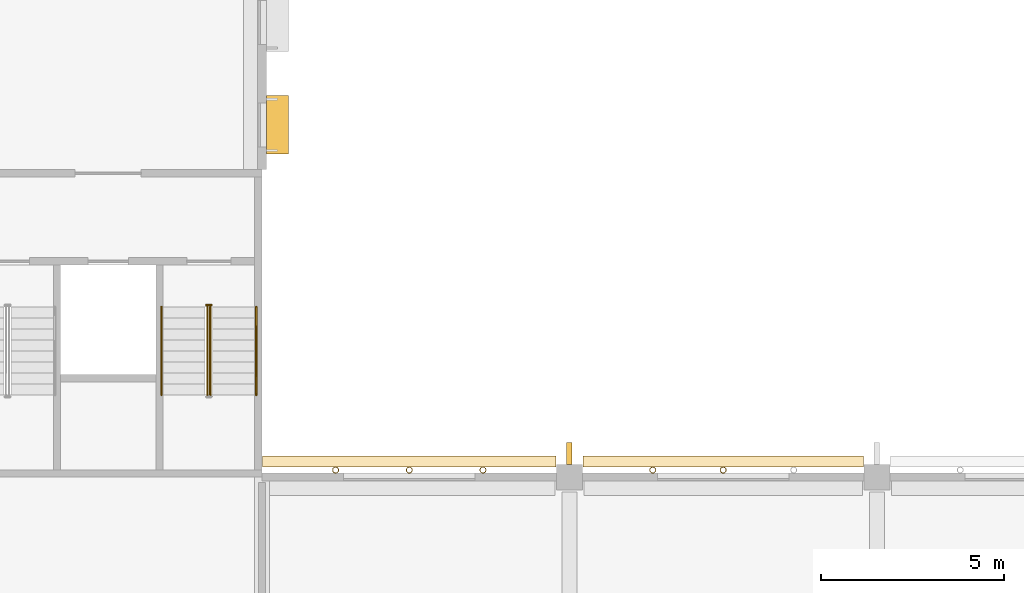
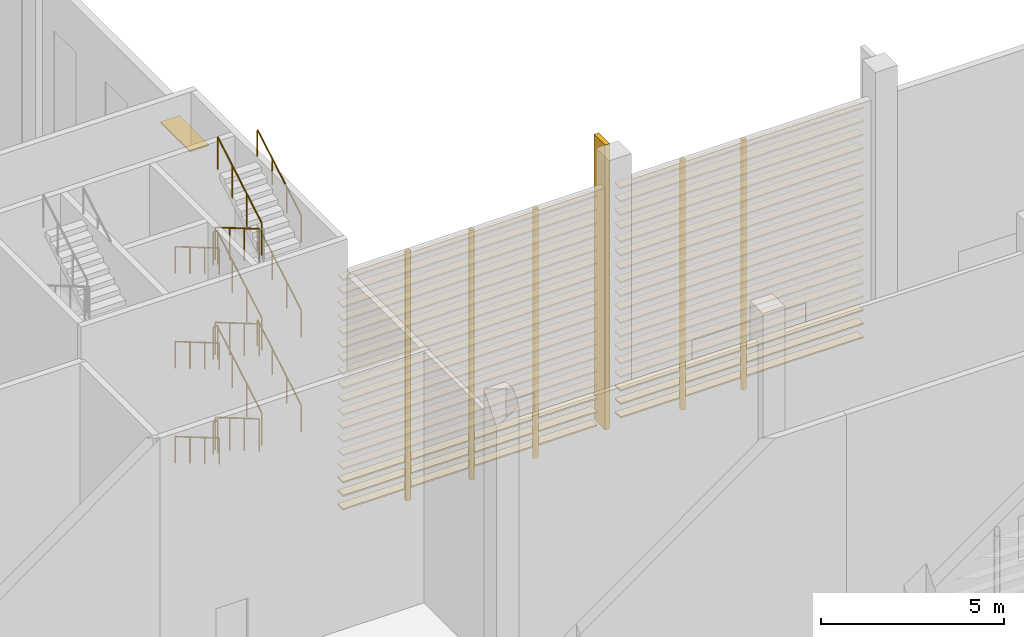
# One storey, part 75 of 114: 36 coverings, 15 railings, 7 shading devices.
"""IFC4 building model written with IfcOpenShell, lengths in metres."""

from ifc_helpers import new_model, si_unit, direction, frame, origin, origin_2d, place, context, subcontext, project, spatial, rectangle, circle, hollow_circle, extrude, material, material_profile, profile_set, type_object, element, save


model = new_model("IFC4")

# Units and contexts
model_context = context("Model", 3, precision=1e-05, world=origin(), true_north=direction((0.0, 1.0)))
body_context = subcontext(model_context, "Body", "Model", "MODEL_VIEW")
ifc_project = project(units=[si_unit("LENGTHUNIT", "METRE"), si_unit("AREAUNIT", "SQUARE_METRE"), si_unit("VOLUMEUNIT", "CUBIC_METRE"), si_unit("PLANEANGLEUNIT", "RADIAN"), si_unit("MASSUNIT", "GRAM", prefix="KILO")], contexts=[model_context])

# Site, building, storey
site_placement = place(None, origin())
site = spatial("IfcSite", under=ifc_project, at=site_placement, CompositionType="ELEMENT")
building_placement = place(site_placement, origin())
building = spatial("IfcBuilding", under=site, at=building_placement, Name="Almond Square Museum", CompositionType="ELEMENT")
storey_placement = place(building_placement, frame((0.0, 0.0, 10.5)))
storey = spatial("IfcBuildingStorey", under=building, at=storey_placement, Name="L02", CompositionType="ELEMENT", Elevation=10.5)

# Shading devices
ifc_material_1 = material(Name="Structural steel S355", Category="steel")
ifc_material_profile_1 = material_profile(ifc_material_1, hollow_circle(Radius=0.084228515625, WallThickness=0.008056640625, at=origin_2d()))
ifc_profile_set_1 = profile_set([ifc_material_profile_1], Name="Structural steel S355")
shading_device_type_1 = type_object("IfcShadingDeviceType", Name="Louvre post CHS 168.3 x 8", PredefinedType="USERDEFINED", material=ifc_profile_set_1)
for number, where, z_axis, x_axis, name in (
    (1, (33.47509765625, 16.994140625, 0.0), (0.0, 0.0, 1.0), (1.0, 0.0, 0.0), "Louvre screen post"),
    (2, (35.39990234375, 16.994140625, 0.0), (0.0, 0.0, 1.0), (1.0, 0.0, 0.0), "Louvre screen post"),
    (3, (24.8125, 16.994140625, 0.0), (0.0, 0.0, 1.0), (1.0, 0.0, 0.0), "Louvre screen post"),
    (4, (26.824951171875, 16.994140625, 0.0), (0.0, 0.0, 1.0), (1.0, 0.0, 0.0), "Louvre screen post"),
    (5, (28.83740234375, 16.994140625, 0.0), (0.0, 0.0, 1.0), (1.0, 0.0, 0.0), "Louvre screen post"),
):
    element("IfcShadingDevice", number, at=place(storey_placement, frame(where, z_axis=z_axis, x_axis=x_axis)), inside=storey, type_object=shading_device_type_1, Name=name, ObjectType="POST", PredefinedType="USERDEFINED", context=body_context, shape_type="SweptSolid", body=[
        extrude(hollow_circle(Radius=0.084228515625, WallThickness=0.008056640625, at=origin_2d()), origin(), (0.0, 0.0, 1.0), 8.300048828125),
    ])

# Coverings
ifc_material_2 = material(Name="Cedar timber louvre board", Category="wood")
ifc_material_profile_2 = material_profile(ifc_material_2, rectangle(XDim=0.300048828125, YDim=0.050048828125, at=origin_2d()))
ifc_profile_set_2 = profile_set([ifc_material_profile_2], Name="Cedar timber louvre board")
covering_type = type_object("IfcCoveringType", Name="Louvre screen board 300 x 50", PredefinedType="CLADDING", material=ifc_profile_set_2)
for number, where, z_axis, x_axis, name in (
    (6, (31.570068359375, 17.224365234375, 0.300048828125), (1.0, 0.0, 0.0), (0.0, 1.0, 0.0), "Louvre screen board"),
    (7, (31.570068359375, 17.224365234375, 0.75), (1.0, 0.0, 0.0), (0.0, 1.0, 0.0), "Louvre screen board"),
    (8, (31.570068359375, 17.224365234375, 1.199951171875), (1.0, 0.0, 0.0), (0.0, 1.0, 0.0), "Louvre screen board"),
    (9, (31.570068359375, 17.224365234375, 1.64990234375), (1.0, 0.0, 0.0), (0.0, 1.0, 0.0), "Louvre screen board"),
    (10, (31.570068359375, 17.224365234375, 2.10009765625), (1.0, 0.0, 0.0), (0.0, 1.0, 0.0), "Louvre screen board"),
    (11, (31.570068359375, 17.224365234375, 2.550048828125), (1.0, 0.0, 0.0), (0.0, 1.0, 0.0), "Louvre screen board"),
    (12, (31.570068359375, 17.224365234375, 3.0), (1.0, 0.0, 0.0), (0.0, 1.0, 0.0), "Louvre screen board"),
    (13, (31.570068359375, 17.224365234375, 3.449951171875), (1.0, 0.0, 0.0), (0.0, 1.0, 0.0), "Louvre screen board"),
    (14, (31.570068359375, 17.224365234375, 3.89990234375), (1.0, 0.0, 0.0), (0.0, 1.0, 0.0), "Louvre screen board"),
    (15, (31.570068359375, 17.224365234375, 4.35009765625), (1.0, 0.0, 0.0), (0.0, 1.0, 0.0), "Louvre screen board"),
    (16, (31.570068359375, 17.224365234375, 4.800048828125), (1.0, 0.0, 0.0), (0.0, 1.0, 0.0), "Louvre screen board"),
    (17, (31.570068359375, 17.224365234375, 5.25), (1.0, 0.0, 0.0), (0.0, 1.0, 0.0), "Louvre screen board"),
    (18, (31.570068359375, 17.224365234375, 5.699951171875), (1.0, 0.0, 0.0), (0.0, 1.0, 0.0), "Louvre screen board"),
    (19, (31.570068359375, 17.224365234375, 6.14990234375), (1.0, 0.0, 0.0), (0.0, 1.0, 0.0), "Louvre screen board"),
    (20, (31.570068359375, 17.224365234375, 6.60009765625), (1.0, 0.0, 0.0), (0.0, 1.0, 0.0), "Louvre screen board"),
    (21, (31.570068359375, 17.224365234375, 7.050048828125), (1.0, 0.0, 0.0), (0.0, 1.0, 0.0), "Louvre screen board"),
    (22, (31.570068359375, 17.224365234375, 7.5), (1.0, 0.0, 0.0), (0.0, 1.0, 0.0), "Louvre screen board"),
    (23, (31.570068359375, 17.224365234375, 7.949951171875), (1.0, 0.0, 0.0), (0.0, 1.0, 0.0), "Louvre screen board"),
):
    element("IfcCovering", number, at=place(storey_placement, frame(where, z_axis=z_axis, x_axis=x_axis)), inside=storey, type_object=covering_type, Name=name, PredefinedType="CLADDING", context=body_context, shape_type="SweptSolid", body=[
        extrude(rectangle(XDim=0.300048828125, YDim=0.050048828125, at=origin_2d()), origin(), (0.0, 0.0, 1.0), 7.659912109375),
    ])
for number, where, z_axis, x_axis, name in (
    (24, (22.820068359375, 17.224365234375, 0.300048828125), (1.0, 0.0, 0.0), (0.0, 1.0, 0.0), "Louvre screen board"),
    (25, (22.820068359375, 17.224365234375, 0.75), (1.0, 0.0, 0.0), (0.0, 1.0, 0.0), "Louvre screen board"),
    (26, (22.820068359375, 17.224365234375, 1.199951171875), (1.0, 0.0, 0.0), (0.0, 1.0, 0.0), "Louvre screen board"),
    (27, (22.820068359375, 17.224365234375, 1.64990234375), (1.0, 0.0, 0.0), (0.0, 1.0, 0.0), "Louvre screen board"),
    (28, (22.820068359375, 17.224365234375, 2.10009765625), (1.0, 0.0, 0.0), (0.0, 1.0, 0.0), "Louvre screen board"),
    (29, (22.820068359375, 17.224365234375, 2.550048828125), (1.0, 0.0, 0.0), (0.0, 1.0, 0.0), "Louvre screen board"),
    (30, (22.820068359375, 17.224365234375, 3.0), (1.0, 0.0, 0.0), (0.0, 1.0, 0.0), "Louvre screen board"),
    (31, (22.820068359375, 17.224365234375, 3.449951171875), (1.0, 0.0, 0.0), (0.0, 1.0, 0.0), "Louvre screen board"),
    (32, (22.820068359375, 17.224365234375, 3.89990234375), (1.0, 0.0, 0.0), (0.0, 1.0, 0.0), "Louvre screen board"),
    (33, (22.820068359375, 17.224365234375, 4.35009765625), (1.0, 0.0, 0.0), (0.0, 1.0, 0.0), "Louvre screen board"),
    (34, (22.820068359375, 17.224365234375, 4.800048828125), (1.0, 0.0, 0.0), (0.0, 1.0, 0.0), "Louvre screen board"),
    (35, (22.820068359375, 17.224365234375, 5.25), (1.0, 0.0, 0.0), (0.0, 1.0, 0.0), "Louvre screen board"),
    (36, (22.820068359375, 17.224365234375, 5.699951171875), (1.0, 0.0, 0.0), (0.0, 1.0, 0.0), "Louvre screen board"),
    (37, (22.820068359375, 17.224365234375, 6.14990234375), (1.0, 0.0, 0.0), (0.0, 1.0, 0.0), "Louvre screen board"),
    (38, (22.820068359375, 17.224365234375, 6.60009765625), (1.0, 0.0, 0.0), (0.0, 1.0, 0.0), "Louvre screen board"),
    (39, (22.820068359375, 17.224365234375, 7.050048828125), (1.0, 0.0, 0.0), (0.0, 1.0, 0.0), "Louvre screen board"),
    (40, (22.820068359375, 17.224365234375, 7.5), (1.0, 0.0, 0.0), (0.0, 1.0, 0.0), "Louvre screen board"),
    (41, (22.820068359375, 17.224365234375, 7.949951171875), (1.0, 0.0, 0.0), (0.0, 1.0, 0.0), "Louvre screen board"),
):
    element("IfcCovering", number, at=place(storey_placement, frame(where, z_axis=z_axis, x_axis=x_axis)), inside=storey, type_object=covering_type, Name=name, PredefinedType="CLADDING", context=body_context, shape_type="SweptSolid", body=[
        extrude(rectangle(XDim=0.300048828125, YDim=0.050048828125, at=origin_2d()), origin(), (0.0, 0.0, 1.0), 8.010009765625),
    ])

# Railings
ifc_material_3 = material(Name="Stainless steel and laminated glass", Category="steel")
railing_type_1 = type_object("IfcRailingType", Name="Stair guard 1100 steel and glass", PredefinedType="GUARDRAIL", material=ifc_material_3)
railing_1_placement = place(storey_placement, frame((21.31005859375, 21.449951171875, 0.176025390625)))
element("IfcRailing", 42, at=railing_1_placement, inside=storey, type_object=railing_type_1, Name="L02 ST-22 stair guard 1", PredefinedType="GUARDRAIL", context=body_context, shape_type="SweptSolid", body=[
    extrude(circle(Radius=0.02392578125, at=origin_2d()), frame((0.0, 0.0, 1.076171875), z_axis=(0.0, -0.862637233918, 0.505823094232), x_axis=(1.0, 0.0, 0.0)), (0.0, 0.0, 1.0), 2.781982421875),
    extrude(circle(Radius=0.02099609375, at=origin_2d()), origin(), (0.0, 0.0, 1.0), 1.052001953125),
    extrude(circle(Radius=0.02099609375, at=origin_2d()), frame((0.0, -0.800048828125, 0.468994140625)), (0.0, 0.0, 1.0), 1.052001953125),
    extrude(circle(Radius=0.02099609375, at=origin_2d()), frame((0.0, -1.599853515625, 0.938232421875)), (0.0, 0.0, 1.0), 1.052001953125),
    extrude(circle(Radius=0.02099609375, at=origin_2d()), frame((0.0, -2.39990234375, 1.4072265625)), (0.0, 0.0, 1.0), 1.052001953125),
])
railing_2_placement = place(storey_placement, frame((21.389892578125, 19.050048828125, 1.75927734375)))
element("IfcRailing", 43, at=railing_2_placement, inside=storey, type_object=railing_type_1, Name="L02 ST-22 stair guard 3", PredefinedType="GUARDRAIL", context=body_context, shape_type="SweptSolid", body=[
    extrude(circle(Radius=0.02392578125, at=origin_2d()), frame((0.0, 0.0, 1.076171875), z_axis=(0.0, 0.86259894172, 0.505888392576), x_axis=(-1.0, 0.0, 0.0)), (0.0, 0.0, 1.0), 2.7822265625),
    extrude(circle(Radius=0.02099609375, at=origin_2d()), origin(), (0.0, 0.0, 1.0), 1.052001953125),
    extrude(circle(Radius=0.02099609375, at=origin_2d()), frame((0.0, 0.800048828125, 0.46923828125)), (0.0, 0.0, 1.0), 1.052001953125),
    extrude(circle(Radius=0.02099609375, at=origin_2d()), frame((0.0, 1.599853515625, 0.938232421875)), (0.0, 0.0, 1.0), 1.052001953125),
    extrude(circle(Radius=0.02099609375, at=origin_2d()), frame((0.0, 2.39990234375, 1.407470703125)), (0.0, 0.0, 1.0), 1.052001953125),
])
railing_3_placement = place(storey_placement, frame((21.280029296875, 21.5, 3.166748046875)))
element("IfcRailing", 44, at=railing_3_placement, inside=storey, type_object=railing_type_1, Name="L02 ST-22 stair guard 4", PredefinedType="GUARDRAIL", context=body_context, shape_type="SweptSolid", body=[
    extrude(circle(Radius=0.02392578125, at=origin_2d()), frame((0.0, 0.0, 1.076171875), z_axis=(1.0, 0.0, 0.0), x_axis=(0.0, 1.0, 0.0)), (0.0, 0.0, 1.0), 0.139892578125),
    extrude(circle(Radius=0.02099609375, at=origin_2d()), origin(), (0.0, 0.0, 1.0), 1.052001953125),
    extrude(circle(Radius=0.02099609375, at=origin_2d()), frame((0.139892578125, 0.0, 0.0)), (0.0, 0.0, 1.0), 1.052001953125),
])
railing_4_placement = place(storey_placement, frame((21.31005859375, 21.449951171875, 3.342529296875)))
element("IfcRailing", 45, at=railing_4_placement, inside=storey, type_object=railing_type_1, Name="L02 ST-22 stair guard 5", PredefinedType="GUARDRAIL", context=body_context, shape_type="SweptSolid", body=[
    extrude(circle(Radius=0.02392578125, at=origin_2d()), frame((0.0, 0.0, 1.076171875), z_axis=(0.0, -0.86259894172, 0.505888392576), x_axis=(1.0, 0.0, 0.0)), (0.0, 0.0, 1.0), 2.7822265625),
    extrude(circle(Radius=0.02099609375, at=origin_2d()), origin(), (0.0, 0.0, 1.0), 1.052001953125),
    extrude(circle(Radius=0.02099609375, at=origin_2d()), frame((0.0, -0.800048828125, 0.46923828125)), (0.0, 0.0, 1.0), 1.052001953125),
    extrude(circle(Radius=0.02099609375, at=origin_2d()), frame((0.0, -1.599853515625, 0.938232421875)), (0.0, 0.0, 1.0), 1.052001953125),
    extrude(circle(Radius=0.02099609375, at=origin_2d()), frame((0.0, -2.39990234375, 1.407470703125)), (0.0, 0.0, 1.0), 1.052001953125),
])
railing_5_placement = place(storey_placement, frame((21.389892578125, 19.050048828125, 4.926025390625)))
element("IfcRailing", 46, at=railing_5_placement, inside=storey, type_object=railing_type_1, Name="L02 ST-22 stair guard 7", PredefinedType="GUARDRAIL", context=body_context, shape_type="SweptSolid", body=[
    extrude(circle(Radius=0.02392578125, at=origin_2d()), frame((0.0, 0.0, 1.076171875), z_axis=(0.0, 0.862637233918, 0.505823094232), x_axis=(-1.0, 0.0, 0.0)), (0.0, 0.0, 1.0), 2.781982421875),
    extrude(circle(Radius=0.02099609375, at=origin_2d()), origin(), (0.0, 0.0, 1.0), 1.052001953125),
    extrude(circle(Radius=0.02099609375, at=origin_2d()), frame((0.0, 0.800048828125, 0.468994140625)), (0.0, 0.0, 1.0), 1.052001953125),
    extrude(circle(Radius=0.02099609375, at=origin_2d()), frame((0.0, 1.599853515625, 0.938232421875)), (0.0, 0.0, 1.0), 1.052001953125),
    extrude(circle(Radius=0.02099609375, at=origin_2d()), frame((0.0, 2.39990234375, 1.4072265625)), (0.0, 0.0, 1.0), 1.052001953125),
])
railing_6_placement = place(storey_placement, frame((21.280029296875, 21.5, 6.333251953125)))
element("IfcRailing", 47, at=railing_6_placement, inside=storey, type_object=railing_type_1, Name="L02 ST-22 stair guard 8", PredefinedType="GUARDRAIL", context=body_context, shape_type="SweptSolid", body=[
    extrude(circle(Radius=0.02392578125, at=origin_2d()), frame((0.0, 0.0, 1.076171875), z_axis=(1.0, 0.0, 0.0), x_axis=(0.0, 1.0, 0.0)), (0.0, 0.0, 1.0), 0.139892578125),
    extrude(circle(Radius=0.02099609375, at=origin_2d()), origin(), (0.0, 0.0, 1.0), 1.052001953125),
    extrude(circle(Radius=0.02099609375, at=origin_2d()), frame((0.139892578125, 0.0, 0.0)), (0.0, 0.0, 1.0), 1.052001953125),
])
railing_7_placement = place(storey_placement, frame((21.31005859375, 21.449951171875, 6.50927734375)))
element("IfcRailing", 48, at=railing_7_placement, inside=storey, type_object=railing_type_1, Name="L02 ST-22 stair guard 9", PredefinedType="GUARDRAIL", context=body_context, shape_type="SweptSolid", body=[
    extrude(circle(Radius=0.02392578125, at=origin_2d()), frame((0.0, 0.0, 1.076171875), z_axis=(0.0, -0.86259894172, 0.505888392576), x_axis=(1.0, 0.0, 0.0)), (0.0, 0.0, 1.0), 2.7822265625),
    extrude(circle(Radius=0.02099609375, at=origin_2d()), origin(), (0.0, 0.0, 1.0), 1.052001953125),
    extrude(circle(Radius=0.02099609375, at=origin_2d()), frame((0.0, -0.800048828125, 0.46923828125)), (0.0, 0.0, 1.0), 1.052001953125),
    extrude(circle(Radius=0.02099609375, at=origin_2d()), frame((0.0, -1.599853515625, 0.938232421875)), (0.0, 0.0, 1.0), 1.052001953125),
    extrude(circle(Radius=0.02099609375, at=origin_2d()), frame((0.0, -2.39990234375, 1.407470703125)), (0.0, 0.0, 1.0), 1.052001953125),
])
railing_8_placement = place(storey_placement, frame((21.389892578125, 19.050048828125, 8.092529296875)))
element("IfcRailing", 49, at=railing_8_placement, inside=storey, type_object=railing_type_1, Name="L02 ST-22 stair guard 11", PredefinedType="GUARDRAIL", context=body_context, shape_type="SweptSolid", body=[
    extrude(circle(Radius=0.02392578125, at=origin_2d()), frame((0.0, 0.0, 1.076171875), z_axis=(0.0, 0.86259894172, 0.505888392576), x_axis=(-1.0, 0.0, 0.0)), (0.0, 0.0, 1.0), 2.7822265625),
    extrude(circle(Radius=0.02099609375, at=origin_2d()), origin(), (0.0, 0.0, 1.0), 1.052001953125),
    extrude(circle(Radius=0.02099609375, at=origin_2d()), frame((0.0, 0.800048828125, 0.46923828125)), (0.0, 0.0, 1.0), 1.052001953125),
    extrude(circle(Radius=0.02099609375, at=origin_2d()), frame((0.0, 1.599853515625, 0.938232421875)), (0.0, 0.0, 1.0), 1.052001953125),
    extrude(circle(Radius=0.02099609375, at=origin_2d()), frame((0.0, 2.39990234375, 1.407470703125)), (0.0, 0.0, 1.0), 1.052001953125),
])
railing_9_placement = place(storey_placement, frame((21.280029296875, 21.5, 0.0)))
element("IfcRailing", 50, at=railing_9_placement, inside=storey, type_object=railing_type_1, Name="L02 ST-22 stair guard 12", PredefinedType="GUARDRAIL", context=body_context, shape_type="SweptSolid", body=[
    extrude(circle(Radius=0.02392578125, at=origin_2d()), frame((0.0, 0.0, 1.076171875), z_axis=(1.0, 0.0, 0.0), x_axis=(0.0, 1.0, 0.0)), (0.0, 0.0, 1.0), 0.139892578125),
    extrude(circle(Radius=0.02099609375, at=origin_2d()), origin(), (0.0, 0.0, 1.0), 1.052001953125),
    extrude(circle(Radius=0.02099609375, at=origin_2d()), frame((0.139892578125, 0.0, 0.0)), (0.0, 0.0, 1.0), 1.052001953125),
])
ifc_material_4 = material(Name="Stainless steel", Category="steel")
railing_type_2 = type_object("IfcRailingType", Name="Stair handrail 900 steel", PredefinedType="HANDRAIL", material=ifc_material_4)
railing_10_placement = place(storey_placement, frame((20.054931640625, 21.449951171875, 0.176025390625)))
element("IfcRailing", 51, at=railing_10_placement, inside=storey, type_object=railing_type_2, Name="L02 ST-22 stair handrail 1", PredefinedType="HANDRAIL", context=body_context, shape_type="SweptSolid", body=[
    extrude(circle(Radius=0.02392578125, at=origin_2d()), frame((0.0, 0.0, 0.8759765625), z_axis=(0.0, -0.862637233918, 0.505823094232), x_axis=(1.0, 0.0, 0.0)), (0.0, 0.0, 1.0), 2.781982421875),
    extrude(circle(Radius=0.02099609375, at=origin_2d()), origin(), (0.0, 0.0, 1.0), 0.851806640625),
    extrude(circle(Radius=0.02099609375, at=origin_2d()), frame((0.0, -0.800048828125, 0.468994140625)), (0.0, 0.0, 1.0), 0.851806640625),
    extrude(circle(Radius=0.02099609375, at=origin_2d()), frame((0.0, -1.599853515625, 0.938232421875)), (0.0, 0.0, 1.0), 0.851806640625),
    extrude(circle(Radius=0.02099609375, at=origin_2d()), frame((0.0, -2.39990234375, 1.4072265625)), (0.0, 0.0, 1.0), 0.851806640625),
])
railing_11_placement = place(storey_placement, frame((22.64501953125, 19.050048828125, 1.75927734375)))
element("IfcRailing", 52, at=railing_11_placement, inside=storey, type_object=railing_type_2, Name="L02 ST-22 stair handrail 2", PredefinedType="HANDRAIL", context=body_context, shape_type="SweptSolid", body=[
    extrude(circle(Radius=0.02392578125, at=origin_2d()), frame((0.0, 0.0, 0.8759765625), z_axis=(0.0, 0.86259894172, 0.505888392576), x_axis=(-1.0, 0.0, 0.0)), (0.0, 0.0, 1.0), 2.7822265625),
    extrude(circle(Radius=0.02099609375, at=origin_2d()), origin(), (0.0, 0.0, 1.0), 0.851806640625),
    extrude(circle(Radius=0.02099609375, at=origin_2d()), frame((0.0, 0.800048828125, 0.46923828125)), (0.0, 0.0, 1.0), 0.851806640625),
    extrude(circle(Radius=0.02099609375, at=origin_2d()), frame((0.0, 1.599853515625, 0.938232421875)), (0.0, 0.0, 1.0), 0.851806640625),
    extrude(circle(Radius=0.02099609375, at=origin_2d()), frame((0.0, 2.39990234375, 1.407470703125)), (0.0, 0.0, 1.0), 0.851806640625),
])
railing_12_placement = place(storey_placement, frame((20.054931640625, 21.449951171875, 3.342529296875)))
element("IfcRailing", 53, at=railing_12_placement, inside=storey, type_object=railing_type_2, Name="L02 ST-22 stair handrail 3", PredefinedType="HANDRAIL", context=body_context, shape_type="SweptSolid", body=[
    extrude(circle(Radius=0.02392578125, at=origin_2d()), frame((0.0, 0.0, 0.8759765625), z_axis=(0.0, -0.86259894172, 0.505888392576), x_axis=(1.0, 0.0, 0.0)), (0.0, 0.0, 1.0), 2.7822265625),
    extrude(circle(Radius=0.02099609375, at=origin_2d()), origin(), (0.0, 0.0, 1.0), 0.851806640625),
    extrude(circle(Radius=0.02099609375, at=origin_2d()), frame((0.0, -0.800048828125, 0.46923828125)), (0.0, 0.0, 1.0), 0.851806640625),
    extrude(circle(Radius=0.02099609375, at=origin_2d()), frame((0.0, -1.599853515625, 0.938232421875)), (0.0, 0.0, 1.0), 0.851806640625),
    extrude(circle(Radius=0.02099609375, at=origin_2d()), frame((0.0, -2.39990234375, 1.407470703125)), (0.0, 0.0, 1.0), 0.851806640625),
])
railing_13_placement = place(storey_placement, frame((22.64501953125, 19.050048828125, 4.926025390625)))
element("IfcRailing", 54, at=railing_13_placement, inside=storey, type_object=railing_type_2, Name="L02 ST-22 stair handrail 4", PredefinedType="HANDRAIL", context=body_context, shape_type="SweptSolid", body=[
    extrude(circle(Radius=0.02392578125, at=origin_2d()), frame((0.0, 0.0, 0.8759765625), z_axis=(0.0, 0.862637233918, 0.505823094232), x_axis=(-1.0, 0.0, 0.0)), (0.0, 0.0, 1.0), 2.781982421875),
    extrude(circle(Radius=0.02099609375, at=origin_2d()), origin(), (0.0, 0.0, 1.0), 0.851806640625),
    extrude(circle(Radius=0.02099609375, at=origin_2d()), frame((0.0, 0.800048828125, 0.468994140625)), (0.0, 0.0, 1.0), 0.851806640625),
    extrude(circle(Radius=0.02099609375, at=origin_2d()), frame((0.0, 1.599853515625, 0.938232421875)), (0.0, 0.0, 1.0), 0.851806640625),
    extrude(circle(Radius=0.02099609375, at=origin_2d()), frame((0.0, 2.39990234375, 1.4072265625)), (0.0, 0.0, 1.0), 0.851806640625),
])
railing_14_placement = place(storey_placement, frame((20.054931640625, 21.449951171875, 6.50927734375)))
element("IfcRailing", 55, at=railing_14_placement, inside=storey, type_object=railing_type_2, Name="L02 ST-22 stair handrail 5", PredefinedType="HANDRAIL", context=body_context, shape_type="SweptSolid", body=[
    extrude(circle(Radius=0.02392578125, at=origin_2d()), frame((0.0, 0.0, 0.8759765625), z_axis=(0.0, -0.86259894172, 0.505888392576), x_axis=(1.0, 0.0, 0.0)), (0.0, 0.0, 1.0), 2.7822265625),
    extrude(circle(Radius=0.02099609375, at=origin_2d()), origin(), (0.0, 0.0, 1.0), 0.851806640625),
    extrude(circle(Radius=0.02099609375, at=origin_2d()), frame((0.0, -0.800048828125, 0.46923828125)), (0.0, 0.0, 1.0), 0.851806640625),
    extrude(circle(Radius=0.02099609375, at=origin_2d()), frame((0.0, -1.599853515625, 0.938232421875)), (0.0, 0.0, 1.0), 0.851806640625),
    extrude(circle(Radius=0.02099609375, at=origin_2d()), frame((0.0, -2.39990234375, 1.407470703125)), (0.0, 0.0, 1.0), 0.851806640625),
])
railing_15_placement = place(storey_placement, frame((22.64501953125, 19.050048828125, 8.092529296875)))
element("IfcRailing", 56, at=railing_15_placement, inside=storey, type_object=railing_type_2, Name="L02 ST-22 stair handrail 6", PredefinedType="HANDRAIL", context=body_context, shape_type="SweptSolid", body=[
    extrude(circle(Radius=0.02392578125, at=origin_2d()), frame((0.0, 0.0, 0.8759765625), z_axis=(0.0, 0.86259894172, 0.505888392576), x_axis=(-1.0, 0.0, 0.0)), (0.0, 0.0, 1.0), 2.7822265625),
    extrude(circle(Radius=0.02099609375, at=origin_2d()), origin(), (0.0, 0.0, 1.0), 0.851806640625),
    extrude(circle(Radius=0.02099609375, at=origin_2d()), frame((0.0, 0.800048828125, 0.46923828125)), (0.0, 0.0, 1.0), 0.851806640625),
    extrude(circle(Radius=0.02099609375, at=origin_2d()), frame((0.0, 1.599853515625, 0.938232421875)), (0.0, 0.0, 1.0), 0.851806640625),
    extrude(circle(Radius=0.02099609375, at=origin_2d()), frame((0.0, 2.39990234375, 1.407470703125)), (0.0, 0.0, 1.0), 0.851806640625),
])

# Shading devices
ifc_material_5 = material(Name="Anodised aluminium", Category="aluminium")
ifc_material_profile_3 = material_profile(ifc_material_5, rectangle(XDim=0.60009765625, YDim=0.050048828125, at=origin_2d()))
ifc_profile_set_3 = profile_set([ifc_material_profile_3], Name="Anodised aluminium")
shading_device_type_2 = type_object("IfcShadingDeviceType", Name="Sun-shade blade 600 x 50", PredefinedType="USERDEFINED", material=ifc_profile_set_3)
shading_device_1_placement = place(storey_placement, frame((23.222900390625, 25.625, 7.02001953125), z_axis=(0.0, 1.0, 0.0), x_axis=(-1.0, 0.0, 0.0)))
element("IfcShadingDevice", 57, at=shading_device_1_placement, inside=storey, type_object=shading_device_type_2, Name="Sun-shade blade", ObjectType="LOUVRE", PredefinedType="USERDEFINED", context=body_context, shape_type="SweptSolid", body=[
    extrude(rectangle(XDim=0.60009765625, YDim=0.050048828125, at=origin_2d()), origin(), (0.0, 0.0, 1.0), 1.60009765625),
])
ifc_material_6 = material(Name="Cedar timber fin", Category="wood")
shading_device_type_3 = type_object("IfcShadingDeviceType", Name="Timber storm fin 150 x 600", PredefinedType="USERDEFINED", material=ifc_material_6)
shading_device_2_placement = place(storey_placement, frame((31.199951171875, 17.449951171875, 0.0), z_axis=(0.0, 0.0, 1.0), x_axis=(1.0, 0.0, 0.0)))
element("IfcShadingDevice", 58, at=shading_device_2_placement, inside=storey, type_object=shading_device_type_3, Name="Timber storm fin", ObjectType="FIN", PredefinedType="USERDEFINED", context=body_context, shape_type="SweptSolid", body=[
    extrude(rectangle(XDim=0.14990234375, YDim=0.60009765625, at=origin_2d()), origin(), (0.0, 0.0, 1.0), 9.5),
])

save(model, "model.ifc")
